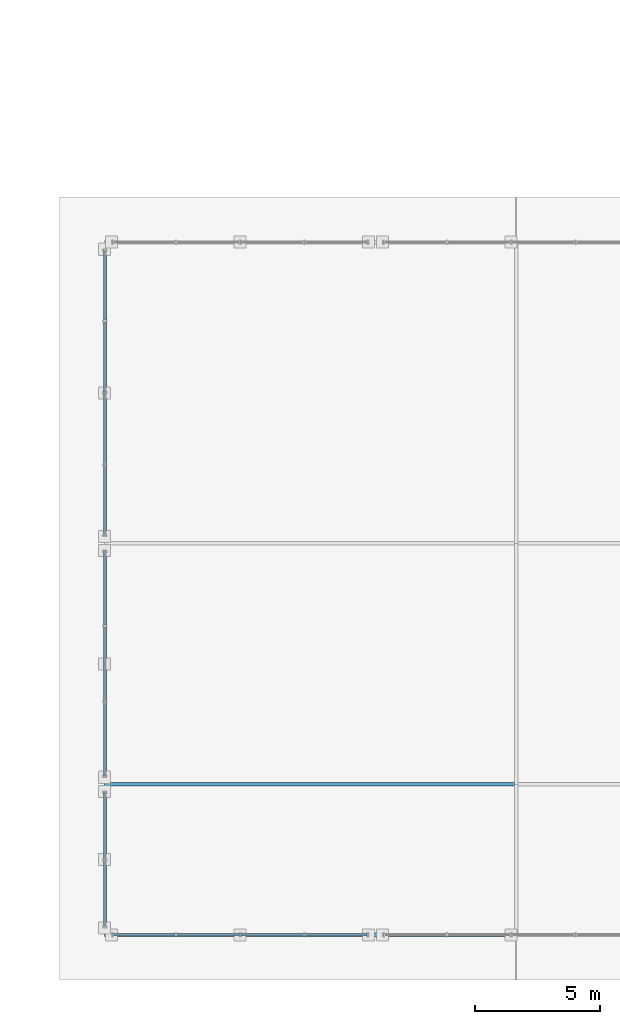
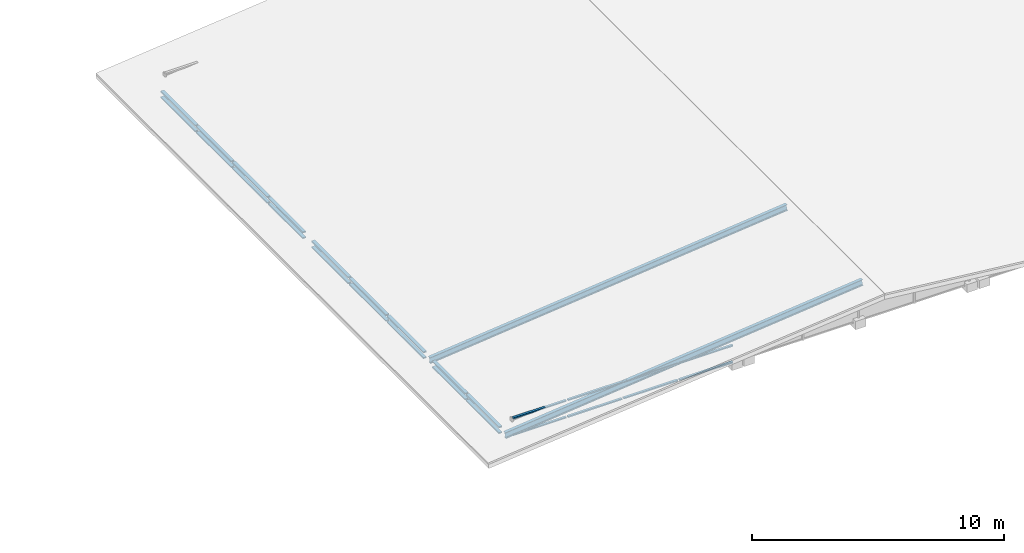
# One storey, part 43 of 117: 28 members, 4 elements without a shape of their own.
"""IFC4 building model written with IfcOpenShell, lengths in metres."""

from ifc_helpers import new_model, si_unit, direction, frame, origin, origin_2d, place, context, subcontext, project, spatial, hollow_rectangle, i_section, extrude, material, material_profile, profile_set, type_object, element, aggregate, save


model = new_model("IFC4")

# Units and contexts
model_context = context("Model", 3, precision=1e-05, world=origin(), true_north=direction((0.0, 1.0)))
body_context = subcontext(model_context, "Body", "Model", "MODEL_VIEW")
ifc_project = project(units=[si_unit("LENGTHUNIT", "METRE"), si_unit("AREAUNIT", "SQUARE_METRE"), si_unit("VOLUMEUNIT", "CUBIC_METRE"), si_unit("PLANEANGLEUNIT", "RADIAN"), si_unit("MASSUNIT", "GRAM", prefix="KILO")], contexts=[model_context])

# Site, building, storey
site_placement = place(None, origin())
site = spatial("IfcSite", under=ifc_project, at=site_placement, CompositionType="ELEMENT")
building_placement = place(site_placement, origin())
building = spatial("IfcBuilding", under=site, at=building_placement, Name="Merenkruunu Market Hall", CompositionType="ELEMENT")
storey_placement = place(building_placement, frame((0.0, 0.0, 22.800048828125)))
storey = spatial("IfcBuildingStorey", under=building, at=storey_placement, Name="RF", CompositionType="ELEMENT", Elevation=22.800048828125)

# Curtain wall, members
ifc_material_1 = material(Name="Powder-coated aluminium", Category="aluminium")
curtain_wall_type_1 = type_object("IfcCurtainWallType", Name="Clerestory Curtain Band CL03", PredefinedType="USERDEFINED", material=ifc_material_1)
curtain_wall_1_placement = place(storey_placement, origin())
curtain_wall_1 = element("IfcCurtainWall", 1, at=curtain_wall_1_placement, inside=storey, type_object=curtain_wall_type_1, Name="CW-RF-CWM04-242", ObjectType="CLERESTORY_BAND", PredefinedType="USERDEFINED")
ifc_material_profile_1 = material_profile(ifc_material_1, hollow_rectangle(XDim=0.06005859375, YDim=0.110107421875, WallThickness=0.00390625, at=origin_2d()), Name="ALU 60x110x4")
ifc_profile_set_1 = profile_set([ifc_material_profile_1], Name="Powder-coated aluminium")
member_type_1 = type_object("IfcMemberType", Name="Curtain Wall Transom CWT03", PredefinedType="USERDEFINED", material=ifc_profile_set_1)
member_1_placement = place(storey_placement, frame((170.050048828125, 0.0, -1.68994140625), z_axis=(-1.0, 0.0, 0.0), x_axis=(0.0, 0.0, 1.0)))
member_1 = element("IfcMember", 2, at=member_1_placement, type_object=member_type_1, Name="CL03 transom 1.1", ObjectType="TRANSOM", PredefinedType="USERDEFINED", context=body_context, shape_type="SweptSolid", body=[
    extrude(hollow_rectangle(XDim=0.06005859375, YDim=0.110107421875, WallThickness=0.00390625, at=origin_2d()), origin(), (0.0, 0.0, 1.0), 2.455078125),
])
member_2_placement = place(storey_placement, frame((170.050048828125, 0.0, -0.880126953125), z_axis=(-1.0, 0.0, 0.0), x_axis=(0.0, 0.0, 1.0)))
member_2 = element("IfcMember", 3, at=member_2_placement, type_object=member_type_1, Name="CL03 transom 1.2", ObjectType="TRANSOM", PredefinedType="USERDEFINED", context=body_context, shape_type="SweptSolid", body=[
    extrude(hollow_rectangle(XDim=0.06005859375, YDim=0.110107421875, WallThickness=0.00390625, at=origin_2d()), origin(), (0.0, 0.0, 1.0), 2.455078125),
])
member_3_placement = place(storey_placement, frame((167.52490234375, 0.0, -1.68994140625), z_axis=(-1.0, 0.0, 0.0), x_axis=(0.0, 0.0, 1.0)))
member_3 = element("IfcMember", 4, at=member_3_placement, type_object=member_type_1, Name="CL03 transom 2.1", ObjectType="TRANSOM", PredefinedType="USERDEFINED", context=body_context, shape_type="SweptSolid", body=[
    extrude(hollow_rectangle(XDim=0.06005859375, YDim=0.110107421875, WallThickness=0.00390625, at=origin_2d()), origin(), (0.0, 0.0, 1.0), 2.489990234375),
])
member_4_placement = place(storey_placement, frame((167.52490234375, 0.0, -0.880126953125), z_axis=(-1.0, 0.0, 0.0), x_axis=(0.0, 0.0, 1.0)))
member_4 = element("IfcMember", 5, at=member_4_placement, type_object=member_type_1, Name="CL03 transom 2.2", ObjectType="TRANSOM", PredefinedType="USERDEFINED", context=body_context, shape_type="SweptSolid", body=[
    extrude(hollow_rectangle(XDim=0.06005859375, YDim=0.110107421875, WallThickness=0.00390625, at=origin_2d()), origin(), (0.0, 0.0, 1.0), 2.489990234375),
])
member_5_placement = place(storey_placement, frame((164.965087890625, 0.0, -1.68994140625), z_axis=(-1.0, 0.0, 0.0), x_axis=(0.0, 0.0, 1.0)))
member_5 = element("IfcMember", 6, at=member_5_placement, type_object=member_type_1, Name="CL03 transom 3.1", ObjectType="TRANSOM", PredefinedType="USERDEFINED", context=body_context, shape_type="SweptSolid", body=[
    extrude(hollow_rectangle(XDim=0.06005859375, YDim=0.110107421875, WallThickness=0.00390625, at=origin_2d()), origin(), (0.0, 0.0, 1.0), 2.489990234375),
])
member_6_placement = place(storey_placement, frame((164.965087890625, 0.0, -0.880126953125), z_axis=(-1.0, 0.0, 0.0), x_axis=(0.0, 0.0, 1.0)))
member_6 = element("IfcMember", 7, at=member_6_placement, type_object=member_type_1, Name="CL03 transom 3.2", ObjectType="TRANSOM", PredefinedType="USERDEFINED", context=body_context, shape_type="SweptSolid", body=[
    extrude(hollow_rectangle(XDim=0.06005859375, YDim=0.110107421875, WallThickness=0.00390625, at=origin_2d()), origin(), (0.0, 0.0, 1.0), 2.489990234375),
])
member_7_placement = place(storey_placement, frame((162.405029296875, 0.0, -1.68994140625), z_axis=(-1.0, 0.0, 0.0), x_axis=(0.0, 0.0, 1.0)))
member_7 = element("IfcMember", 8, at=member_7_placement, type_object=member_type_1, Name="CL03 transom 4.1", ObjectType="TRANSOM", PredefinedType="USERDEFINED", context=body_context, shape_type="SweptSolid", body=[
    extrude(hollow_rectangle(XDim=0.06005859375, YDim=0.110107421875, WallThickness=0.00390625, at=origin_2d()), origin(), (0.0, 0.0, 1.0), 2.455078125),
])
member_8_placement = place(storey_placement, frame((162.405029296875, 0.0, -0.880126953125), z_axis=(-1.0, 0.0, 0.0), x_axis=(0.0, 0.0, 1.0)))
member_8 = element("IfcMember", 9, at=member_8_placement, type_object=member_type_1, Name="CL03 transom 4.2", ObjectType="TRANSOM", PredefinedType="USERDEFINED", context=body_context, shape_type="SweptSolid", body=[
    extrude(hollow_rectangle(XDim=0.06005859375, YDim=0.110107421875, WallThickness=0.00390625, at=origin_2d()), origin(), (0.0, 0.0, 1.0), 2.455078125),
])
aggregate(curtain_wall_1, [member_1, member_2, member_3, member_4, member_5, member_6, member_7, member_8])

curtain_wall_type_2 = type_object("IfcCurtainWallType", Name="Clerestory Curtain Band CL04", PredefinedType="USERDEFINED", material=ifc_material_1)
curtain_wall_2_placement = place(storey_placement, origin())
curtain_wall_2 = element("IfcCurtainWall", 10, at=curtain_wall_2_placement, inside=storey, type_object=curtain_wall_type_2, Name="CW-RF-CWM04-236", ObjectType="CLERESTORY_BAND", PredefinedType="USERDEFINED")
ifc_material_profile_2 = material_profile(ifc_material_1, hollow_rectangle(XDim=0.06005859375, YDim=0.14990234375, WallThickness=0.00390625, at=origin_2d()), Name="ALU 60x150x4")
ifc_profile_set_2 = profile_set([ifc_material_profile_2], Name="Powder-coated aluminium")
member_type_2 = type_object("IfcMemberType", Name="Curtain Wall Transom CWT04", PredefinedType="USERDEFINED", material=ifc_profile_set_2)
member_9_placement = place(storey_placement, frame((159.60009765625, 0.35009765625, -1.68994140625), z_axis=(0.0, 1.0, 0.0), x_axis=(0.0, 0.0, 1.0)))
member_9 = element("IfcMember", 11, at=member_9_placement, type_object=member_type_2, Name="CL04 transom 1.1", ObjectType="TRANSOM", PredefinedType="USERDEFINED", context=body_context, shape_type="SweptSolid", body=[
    extrude(hollow_rectangle(XDim=0.06005859375, YDim=0.14990234375, WallThickness=0.00390625, at=origin_2d()), origin(), (0.0, 0.0, 1.0), 2.614990234375),
])
member_10_placement = place(storey_placement, frame((159.60009765625, 0.35009765625, -1.41015625), z_axis=(0.0, 1.0, 0.0), x_axis=(0.0, 0.0, 1.0)))
member_10 = element("IfcMember", 12, at=member_10_placement, type_object=member_type_2, Name="CL04 transom 1.2", ObjectType="TRANSOM", PredefinedType="USERDEFINED", context=body_context, shape_type="SweptSolid", body=[
    extrude(hollow_rectangle(XDim=0.06005859375, YDim=0.14990234375, WallThickness=0.00390625, at=origin_2d()), origin(), (0.0, 0.0, 1.0), 2.614990234375),
])
member_11_placement = place(storey_placement, frame((159.60009765625, 3.034912109375, -1.68994140625), z_axis=(0.0, 1.0, 0.0), x_axis=(0.0, 0.0, 1.0)))
member_11 = element("IfcMember", 13, at=member_11_placement, type_object=member_type_2, Name="CL04 transom 2.1", ObjectType="TRANSOM", PredefinedType="USERDEFINED", context=body_context, shape_type="SweptSolid", body=[
    extrude(hollow_rectangle(XDim=0.06005859375, YDim=0.14990234375, WallThickness=0.00390625, at=origin_2d()), origin(), (0.0, 0.0, 1.0), 2.614990234375),
])
member_12_placement = place(storey_placement, frame((159.60009765625, 3.034912109375, -1.41015625), z_axis=(0.0, 1.0, 0.0), x_axis=(0.0, 0.0, 1.0)))
member_12 = element("IfcMember", 14, at=member_12_placement, type_object=member_type_2, Name="CL04 transom 2.2", ObjectType="TRANSOM", PredefinedType="USERDEFINED", context=body_context, shape_type="SweptSolid", body=[
    extrude(hollow_rectangle(XDim=0.06005859375, YDim=0.14990234375, WallThickness=0.00390625, at=origin_2d()), origin(), (0.0, 0.0, 1.0), 2.614990234375),
])
aggregate(curtain_wall_2, [member_9, member_10, member_11, member_12])

curtain_wall_3_placement = place(storey_placement, origin())
curtain_wall_3 = element("IfcCurtainWall", 15, at=curtain_wall_3_placement, inside=storey, type_object=curtain_wall_type_2, Name="CW-RF-CWM04-238", ObjectType="CLERESTORY_BAND", PredefinedType="USERDEFINED")
member_13_placement = place(storey_placement, frame((159.60009765625, 6.35009765625, -1.68994140625), z_axis=(0.0, 1.0, 0.0), x_axis=(0.0, 0.0, 1.0)))
member_13 = element("IfcMember", 16, at=member_13_placement, type_object=member_type_2, Name="CL04 transom 1.1", ObjectType="TRANSOM", PredefinedType="USERDEFINED", context=body_context, shape_type="SweptSolid", body=[
    extrude(hollow_rectangle(XDim=0.06005859375, YDim=0.14990234375, WallThickness=0.00390625, at=origin_2d()), origin(), (0.0, 0.0, 1.0), 2.908203125),
])
member_14_placement = place(storey_placement, frame((159.60009765625, 6.35009765625, -1.41015625), z_axis=(0.0, 1.0, 0.0), x_axis=(0.0, 0.0, 1.0)))
member_14 = element("IfcMember", 17, at=member_14_placement, type_object=member_type_2, Name="CL04 transom 1.2", ObjectType="TRANSOM", PredefinedType="USERDEFINED", context=body_context, shape_type="SweptSolid", body=[
    extrude(hollow_rectangle(XDim=0.06005859375, YDim=0.14990234375, WallThickness=0.00390625, at=origin_2d()), origin(), (0.0, 0.0, 1.0), 2.908203125),
])
member_15_placement = place(storey_placement, frame((159.60009765625, 9.328369140625, -1.68994140625), z_axis=(0.0, 1.0, 0.0), x_axis=(0.0, 0.0, 1.0)))
member_15 = element("IfcMember", 18, at=member_15_placement, type_object=member_type_2, Name="CL04 transom 2.1", ObjectType="TRANSOM", PredefinedType="USERDEFINED", context=body_context, shape_type="SweptSolid", body=[
    extrude(hollow_rectangle(XDim=0.06005859375, YDim=0.14990234375, WallThickness=0.00390625, at=origin_2d()), origin(), (0.0, 0.0, 1.0), 2.943359375),
])
member_16_placement = place(storey_placement, frame((159.60009765625, 9.328369140625, -1.41015625), z_axis=(0.0, 1.0, 0.0), x_axis=(0.0, 0.0, 1.0)))
member_16 = element("IfcMember", 19, at=member_16_placement, type_object=member_type_2, Name="CL04 transom 2.2", ObjectType="TRANSOM", PredefinedType="USERDEFINED", context=body_context, shape_type="SweptSolid", body=[
    extrude(hollow_rectangle(XDim=0.06005859375, YDim=0.14990234375, WallThickness=0.00390625, at=origin_2d()), origin(), (0.0, 0.0, 1.0), 2.943359375),
])
member_17_placement = place(storey_placement, frame((159.60009765625, 12.341552734375, -1.68994140625), z_axis=(0.0, 1.0, 0.0), x_axis=(0.0, 0.0, 1.0)))
member_17 = element("IfcMember", 20, at=member_17_placement, type_object=member_type_2, Name="CL04 transom 3.1", ObjectType="TRANSOM", PredefinedType="USERDEFINED", context=body_context, shape_type="SweptSolid", body=[
    extrude(hollow_rectangle(XDim=0.06005859375, YDim=0.14990234375, WallThickness=0.00390625, at=origin_2d()), origin(), (0.0, 0.0, 1.0), 2.908447265625),
])
member_18_placement = place(storey_placement, frame((159.60009765625, 12.341552734375, -1.41015625), z_axis=(0.0, 1.0, 0.0), x_axis=(0.0, 0.0, 1.0)))
member_18 = element("IfcMember", 21, at=member_18_placement, type_object=member_type_2, Name="CL04 transom 3.2", ObjectType="TRANSOM", PredefinedType="USERDEFINED", context=body_context, shape_type="SweptSolid", body=[
    extrude(hollow_rectangle(XDim=0.06005859375, YDim=0.14990234375, WallThickness=0.00390625, at=origin_2d()), origin(), (0.0, 0.0, 1.0), 2.908447265625),
])
aggregate(curtain_wall_3, [member_13, member_14, member_15, member_16, member_17, member_18])

curtain_wall_4_placement = place(storey_placement, origin())
curtain_wall_4 = element("IfcCurtainWall", 22, at=curtain_wall_4_placement, inside=storey, type_object=curtain_wall_type_2, Name="CW-RF-CWM04-240", ObjectType="CLERESTORY_BAND", PredefinedType="USERDEFINED")
member_19_placement = place(storey_placement, frame((159.60009765625, 15.949951171875, -1.68994140625), z_axis=(0.0, 1.0, 0.0), x_axis=(0.0, 0.0, 1.0)))
member_19 = element("IfcMember", 23, at=member_19_placement, type_object=member_type_2, Name="CL04 transom 1.1", ObjectType="TRANSOM", PredefinedType="USERDEFINED", context=body_context, shape_type="SweptSolid", body=[
    extrude(hollow_rectangle(XDim=0.06005859375, YDim=0.14990234375, WallThickness=0.00390625, at=origin_2d()), origin(), (0.0, 0.0, 1.0), 2.755126953125),
])
member_20_placement = place(storey_placement, frame((159.60009765625, 15.949951171875, -1.41015625), z_axis=(0.0, 1.0, 0.0), x_axis=(0.0, 0.0, 1.0)))
member_20 = element("IfcMember", 24, at=member_20_placement, type_object=member_type_2, Name="CL04 transom 1.2", ObjectType="TRANSOM", PredefinedType="USERDEFINED", context=body_context, shape_type="SweptSolid", body=[
    extrude(hollow_rectangle(XDim=0.06005859375, YDim=0.14990234375, WallThickness=0.00390625, at=origin_2d()), origin(), (0.0, 0.0, 1.0), 2.755126953125),
])
member_21_placement = place(storey_placement, frame((159.60009765625, 18.77490234375, -1.68994140625), z_axis=(0.0, 1.0, 0.0), x_axis=(0.0, 0.0, 1.0)))
member_21 = element("IfcMember", 25, at=member_21_placement, type_object=member_type_2, Name="CL04 transom 2.1", ObjectType="TRANSOM", PredefinedType="USERDEFINED", context=body_context, shape_type="SweptSolid", body=[
    extrude(hollow_rectangle(XDim=0.06005859375, YDim=0.14990234375, WallThickness=0.00390625, at=origin_2d()), origin(), (0.0, 0.0, 1.0), 2.7900390625),
])
member_22_placement = place(storey_placement, frame((159.60009765625, 18.77490234375, -1.41015625), z_axis=(0.0, 1.0, 0.0), x_axis=(0.0, 0.0, 1.0)))
member_22 = element("IfcMember", 26, at=member_22_placement, type_object=member_type_2, Name="CL04 transom 2.2", ObjectType="TRANSOM", PredefinedType="USERDEFINED", context=body_context, shape_type="SweptSolid", body=[
    extrude(hollow_rectangle(XDim=0.06005859375, YDim=0.14990234375, WallThickness=0.00390625, at=origin_2d()), origin(), (0.0, 0.0, 1.0), 2.7900390625),
])
member_23_placement = place(storey_placement, frame((159.60009765625, 21.635009765625, -1.68994140625), z_axis=(0.0, 1.0, 0.0), x_axis=(0.0, 0.0, 1.0)))
member_23 = element("IfcMember", 27, at=member_23_placement, type_object=member_type_2, Name="CL04 transom 3.1", ObjectType="TRANSOM", PredefinedType="USERDEFINED", context=body_context, shape_type="SweptSolid", body=[
    extrude(hollow_rectangle(XDim=0.06005859375, YDim=0.14990234375, WallThickness=0.00390625, at=origin_2d()), origin(), (0.0, 0.0, 1.0), 2.7900390625),
])
member_24_placement = place(storey_placement, frame((159.60009765625, 21.635009765625, -1.41015625), z_axis=(0.0, 1.0, 0.0), x_axis=(0.0, 0.0, 1.0)))
member_24 = element("IfcMember", 28, at=member_24_placement, type_object=member_type_2, Name="CL04 transom 3.2", ObjectType="TRANSOM", PredefinedType="USERDEFINED", context=body_context, shape_type="SweptSolid", body=[
    extrude(hollow_rectangle(XDim=0.06005859375, YDim=0.14990234375, WallThickness=0.00390625, at=origin_2d()), origin(), (0.0, 0.0, 1.0), 2.7900390625),
])
member_25_placement = place(storey_placement, frame((159.60009765625, 24.4951171875, -1.68994140625), z_axis=(0.0, 1.0, 0.0), x_axis=(0.0, 0.0, 1.0)))
member_25 = element("IfcMember", 29, at=member_25_placement, type_object=member_type_2, Name="CL04 transom 4.1", ObjectType="TRANSOM", PredefinedType="USERDEFINED", context=body_context, shape_type="SweptSolid", body=[
    extrude(hollow_rectangle(XDim=0.06005859375, YDim=0.14990234375, WallThickness=0.00390625, at=origin_2d()), origin(), (0.0, 0.0, 1.0), 2.7548828125),
])
member_26_placement = place(storey_placement, frame((159.60009765625, 24.4951171875, -1.41015625), z_axis=(0.0, 1.0, 0.0), x_axis=(0.0, 0.0, 1.0)))
member_26 = element("IfcMember", 30, at=member_26_placement, type_object=member_type_2, Name="CL04 transom 4.2", ObjectType="TRANSOM", PredefinedType="USERDEFINED", context=body_context, shape_type="SweptSolid", body=[
    extrude(hollow_rectangle(XDim=0.06005859375, YDim=0.14990234375, WallThickness=0.00390625, at=origin_2d()), origin(), (0.0, 0.0, 1.0), 2.7548828125),
])
aggregate(curtain_wall_4, [member_19, member_20, member_21, member_22, member_23, member_24, member_25, member_26])

# Members
ifc_material_2 = material(Name="Steel S355ML", Category="steel")
ifc_material_profile_3 = material_profile(ifc_material_2, i_section(OverallWidth=0.14990234375, OverallDepth=0.300048828125, WebThickness=0.007080078125, FlangeThickness=0.0107421875, FilletRadius=0.014892578125, at=origin_2d()), Name="IPE 300")
ifc_profile_set_3 = profile_set([ifc_material_profile_3], Name="Steel S355ML")
member_type_3 = type_object("IfcMemberType", Name="Roof Purlin Rafter PR01", PredefinedType="PURLIN", material=ifc_profile_set_3)
for number, where, z_axis, x_axis, name in (
    (31, (159.60009765625, 0.0, -1.580078125), (0.994670606948, 0.0, 0.10310375199), (0.0, 1.0, 0.0), "MEM-V3-RFW-00"),
    (32, (159.60009765625, 6.0, -1.580078125), (0.994670606948, 0.0, 0.10310375199), (0.0, 1.0, 0.0), "MEM-V3-RFW-06"),
):
    element("IfcMember", number, at=place(storey_placement, frame(where, z_axis=z_axis, x_axis=x_axis)), inside=storey, type_object=member_type_3, Name=name, PredefinedType="PURLIN", context=body_context, shape_type="SweptSolid", body=[
        extrude(i_section(OverallWidth=0.14990234375, OverallDepth=0.300048828125, WebThickness=0.007080078125, FlangeThickness=0.0107421875, FilletRadius=0.014892578125, at=origin_2d()), origin(), (0.0, 0.0, 1.0), 16.48779296875),
    ])

save(model, "model.ifc")
